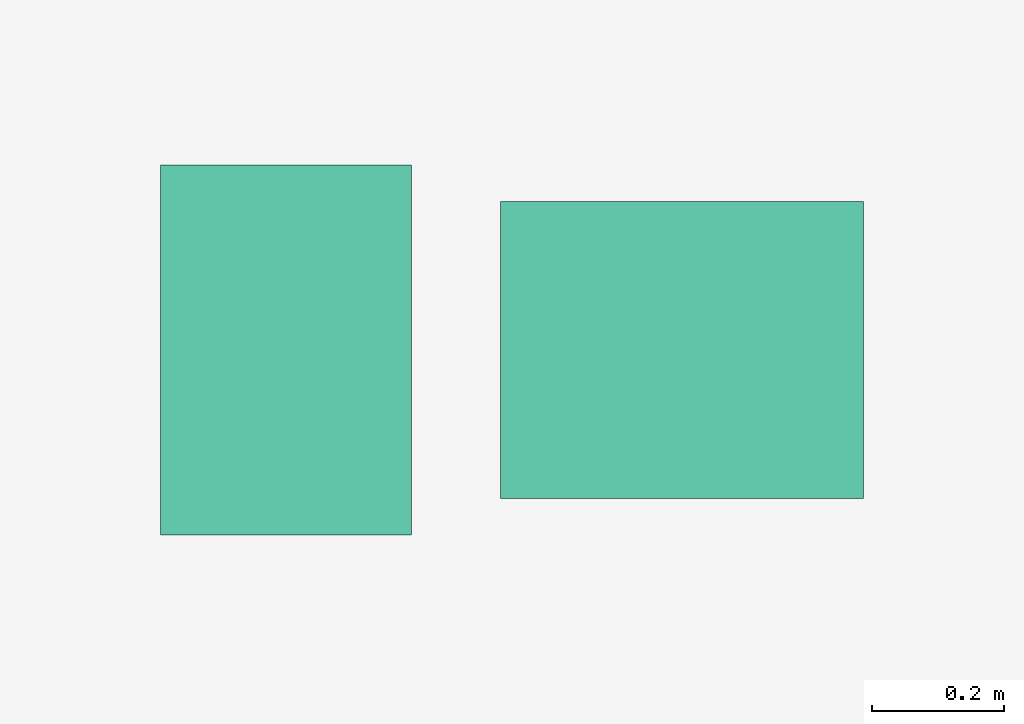
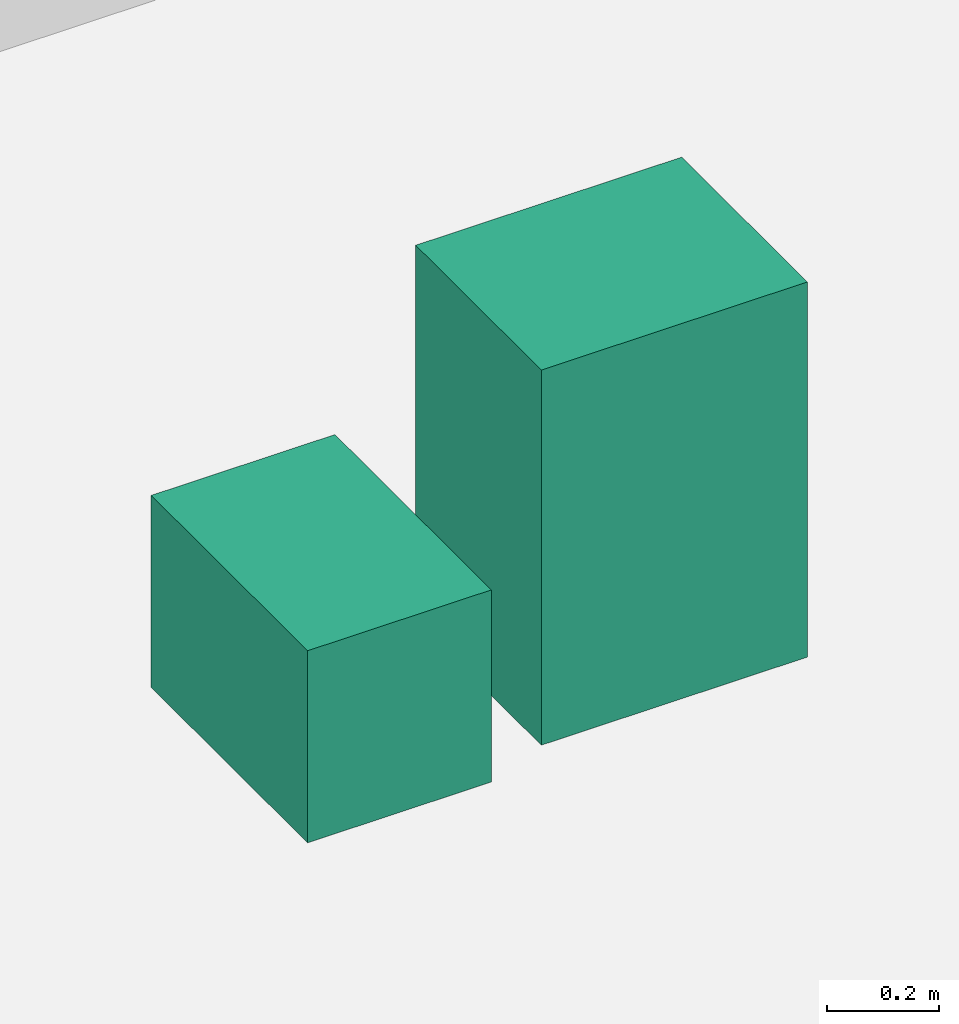
# One storey, part 17 of 18: 2 sanitary terminals.
"""IFC4 building model written with IfcOpenShell, lengths in metres."""

from ifc_helpers import new_model, si_unit, direction, frame, origin, origin_2d, place, context, subcontext, project, spatial, rectangle, extrude, source, transform, mapped, material, type_object, type_shapes, element, save


model = new_model("IFC4")

# Units and contexts
model_context = context("Model", 3, precision=1e-05, world=origin(), true_north=direction((0.0, 1.0)))
body_context = subcontext(model_context, "Body", "Model", "MODEL_VIEW")
ifc_project = project(units=[si_unit("LENGTHUNIT", "METRE"), si_unit("AREAUNIT", "SQUARE_METRE"), si_unit("VOLUMEUNIT", "CUBIC_METRE"), si_unit("PLANEANGLEUNIT", "RADIAN"), si_unit("MASSUNIT", "GRAM", prefix="KILO")], contexts=[model_context])

# Site, building, storey
site_placement = place(None, origin())
site = spatial("IfcSite", under=ifc_project, at=site_placement, CompositionType="ELEMENT")
building_placement = place(site_placement, origin())
building = spatial("IfcBuilding", under=site, at=building_placement, Name="Seokmaru Belvedere", CompositionType="ELEMENT")
storey_placement = place(building_placement, frame((0.0, 0.0, -9.60009765625)))
storey = spatial("IfcBuildingStorey", under=building, at=storey_placement, Name="B2", CompositionType="ELEMENT", Elevation=-9.60009765625)

# Sanitary terminals
ifc_material = material(Name="Vitreous China Sanitaryware")
sanitary_terminal_type_1 = type_object("IfcSanitaryTerminalType", Name="Wall-Hung Vitreous China WC Pan", PredefinedType="TOILETPAN", material=ifc_material)
shared_shape_1 = source(origin(), body_context, "Body", "SweptSolid", [
    extrude(rectangle(XDim=0.3798828125, YDim=0.56005859375, at=origin_2d()), origin(), (0.0, 0.0, 1.0), 0.419921875),
])
type_shapes(sanitary_terminal_type_1, [shared_shape_1])
sanitary_terminal_1_placement = place(storey_placement, frame((19.949951171875, 3.60009765625, 0.000244140625), z_axis=(0.0, 0.0, 1.0), x_axis=(1.0, 0.0, 0.0)))
element("IfcSanitaryTerminal", 1, at=sanitary_terminal_1_placement, inside=storey, type_object=sanitary_terminal_type_1, Name="B2 Vitreous China WC 0001", PredefinedType="TOILETPAN", context=body_context, shape_type="MappedRepresentation", body=[
    mapped(shared_shape_1, transform((0.0, 0.0, 0.0), scale=1.0)),
])
sanitary_terminal_type_2 = type_object("IfcSanitaryTerminalType", Name="Countertop Ceramic Washhand Basin", PredefinedType="WASHHANDBASIN", material=ifc_material)
shared_shape_2 = source(origin(), body_context, "Body", "SweptSolid", [
    extrude(rectangle(XDim=0.550048828125, YDim=0.449951171875, at=origin_2d()), origin(), (0.0, 0.0, 1.0), 0.820068359375),
])
type_shapes(sanitary_terminal_type_2, [shared_shape_2])
sanitary_terminal_2_placement = place(storey_placement, frame((20.550048828125, 3.60009765625, 0.0), z_axis=(0.0, 0.0, 1.0), x_axis=(1.0, 0.0, 0.0)))
element("IfcSanitaryTerminal", 2, at=sanitary_terminal_2_placement, inside=storey, type_object=sanitary_terminal_type_2, Name="B2 Ceramic Washhand Basin 0001", PredefinedType="WASHHANDBASIN", context=body_context, shape_type="MappedRepresentation", body=[
    mapped(shared_shape_2, transform((0.0, 0.0, 0.0), scale=1.0)),
])

save(model, "model.ifc")
